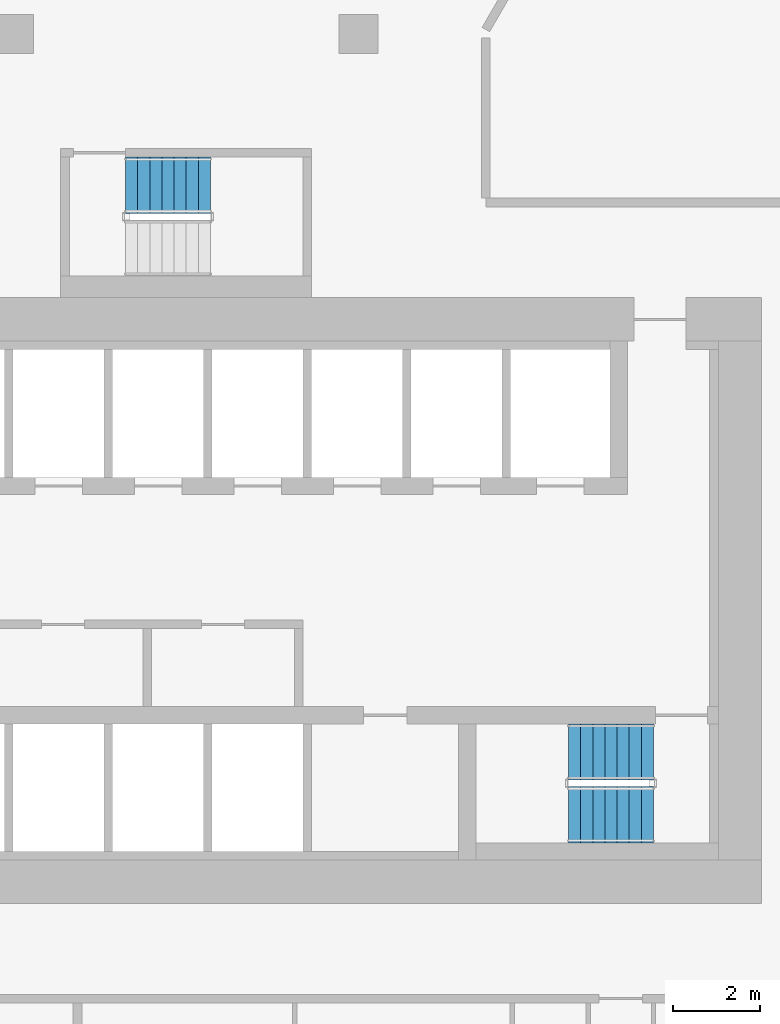
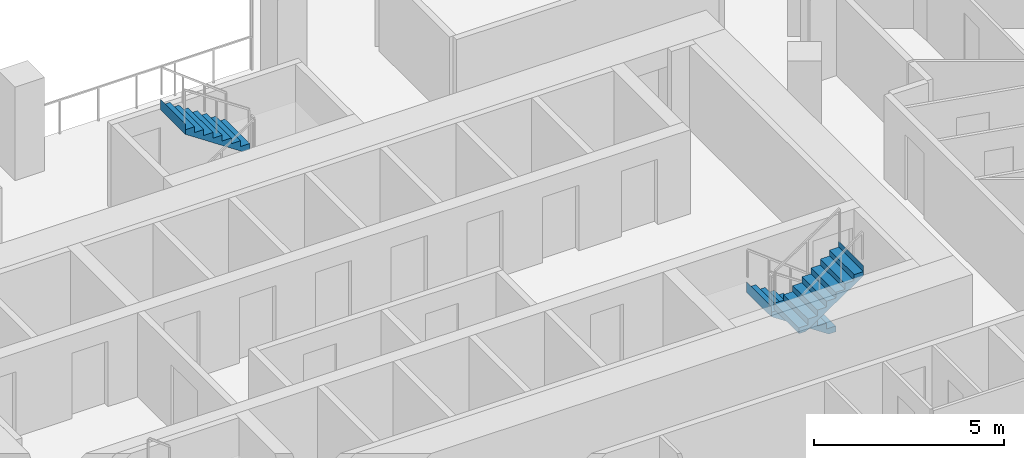
# One storey, part 14 of 18: 3 stair flights, 2 elements without a shape of their own.
"""IFC4 building model written with IfcOpenShell, lengths in metres."""

from ifc_helpers import new_model, si_unit, direction, frame, origin, place, context, subcontext, project, spatial, triangles, material, type_object, element, aggregate, save


model = new_model("IFC4")

# Units and contexts
model_context = context("Model", 3, precision=1e-05, world=origin(), true_north=direction((0.0, 1.0)))
body_context = subcontext(model_context, "Body", "Model", "MODEL_VIEW")
ifc_project = project(units=[si_unit("LENGTHUNIT", "METRE"), si_unit("AREAUNIT", "SQUARE_METRE"), si_unit("VOLUMEUNIT", "CUBIC_METRE"), si_unit("PLANEANGLEUNIT", "RADIAN"), si_unit("MASSUNIT", "GRAM", prefix="KILO")], contexts=[model_context])

# Site, building, storey
site_placement = place(None, origin())
site = spatial("IfcSite", under=ifc_project, at=site_placement, CompositionType="ELEMENT")
building_placement = place(site_placement, origin())
building = spatial("IfcBuilding", under=site, at=building_placement, Name="Beryl Residences", CompositionType="ELEMENT")
storey_placement = place(building_placement, frame((0.0, 0.0, 75.0)))
storey = spatial("IfcBuildingStorey", under=building, at=storey_placement, Name="L22", CompositionType="ELEMENT", Elevation=75.0)

# Stair, stair flights
ifc_material_1 = material(Name="Concrete C40/50", Category="concrete")
stair_type = type_object("IfcStairType", Name="ST1 protected exit stair, half-turn, 1300 mm flights", PredefinedType="HALF_TURN_STAIR", material=ifc_material_1)
stair_1_placement = place(storey_placement, origin())
stair_1 = element("IfcStair", 1, at=stair_1_placement, inside=storey, type_object=stair_type, Name="L22 PROTECTED EXIT STAIR ST-3", PredefinedType="HALF_TURN_STAIR")
ifc_material_2 = material(Name="Concrete C40/50", Category="concrete")
stair_flight_type = type_object("IfcStairFlightType", Name="SF1 stair flight 1300 mm", PredefinedType="STRAIGHT", material=ifc_material_2)
stair_flight_1_placement = place(storey_placement, frame((10.800048828125, -15.5, 0.0), z_axis=(0.0, 0.0, 1.0), x_axis=(-1.0, 0.0, 0.0)))
stair_flight_1 = element("IfcStairFlight", 2, at=stair_flight_1_placement, type_object=stair_flight_type, Name="ST-3 flight 1", NumberOfRisers=8, NumberOfTreads=7, PredefinedType="STRAIGHT", RiserHeight=0.1875, TreadLength=0.28, context=body_context, shape_type="Tessellation", body=[
    triangles([(0.0, -0.64990234375, 0.0), (0.0, -0.324951171875, 0.0), (0.0, 0.0, 0.0), (0.0, 0.324951171875, 0.0), (0.0, 0.64990234375, 0.0), (0.0, -0.64990234375, 0.1875), (0.0, -0.324951171875, 0.1875), (0.0, 0.0, 0.1875), (0.0, 0.324951171875, 0.1875), (0.0, 0.64990234375, 0.1875), (0.280029296875, -0.64990234375, 0.1875), (0.280029296875, -0.324951171875, 0.1875), (0.280029296875, 0.0, 0.1875), (0.280029296875, 0.324951171875, 0.1875), (0.280029296875, 0.64990234375, 0.1875), (0.280029296875, -0.64990234375, 0.375), (0.280029296875, -0.324951171875, 0.375), (0.280029296875, 0.0, 0.375), (0.280029296875, 0.324951171875, 0.375), (0.280029296875, 0.64990234375, 0.375), (0.56005859375, -0.64990234375, 0.375), (0.56005859375, -0.324951171875, 0.375), (0.56005859375, 0.0, 0.375), (0.56005859375, 0.324951171875, 0.375), (0.56005859375, 0.64990234375, 0.375), (0.56005859375, -0.64990234375, 0.5625), (0.56005859375, -0.324951171875, 0.5625), (0.56005859375, 0.0, 0.5625), (0.56005859375, 0.324951171875, 0.5625), (0.56005859375, 0.64990234375, 0.5625), (0.840087890625, -0.64990234375, 0.5625), (0.840087890625, -0.324951171875, 0.5625), (0.840087890625, 0.0, 0.5625), (0.840087890625, 0.324951171875, 0.5625), (0.840087890625, 0.64990234375, 0.5625), (0.840087890625, -0.64990234375, 0.75), (0.840087890625, -0.324951171875, 0.75), (0.840087890625, 0.0, 0.75), (0.840087890625, 0.324951171875, 0.75), (0.840087890625, 0.64990234375, 0.75), (1.1201171875, -0.64990234375, 0.75), (1.1201171875, -0.324951171875, 0.75), (1.1201171875, 0.0, 0.75), (1.1201171875, 0.324951171875, 0.75), (1.1201171875, 0.64990234375, 0.75), (1.1201171875, -0.64990234375, 0.9375), (1.1201171875, -0.324951171875, 0.9375), (1.1201171875, 0.0, 0.9375), (1.1201171875, 0.324951171875, 0.9375), (1.1201171875, 0.64990234375, 0.9375), (1.39990234375, -0.64990234375, 0.9375), (1.39990234375, -0.324951171875, 0.9375), (1.39990234375, 0.0, 0.9375), (1.39990234375, 0.324951171875, 0.9375), (1.39990234375, 0.64990234375, 0.9375), (1.39990234375, -0.64990234375, 1.125), (1.39990234375, -0.324951171875, 1.125), (1.39990234375, 0.0, 1.125), (1.39990234375, 0.324951171875, 1.125), (1.39990234375, 0.64990234375, 1.125), (1.679931640625, -0.64990234375, 1.125), (1.679931640625, -0.324951171875, 1.125), (1.679931640625, 0.0, 1.125), (1.679931640625, 0.324951171875, 1.125), (1.679931640625, 0.64990234375, 1.125), (1.679931640625, -0.64990234375, 1.3125), (1.679931640625, -0.324951171875, 1.3125), (1.679931640625, 0.0, 1.3125), (1.679931640625, 0.324951171875, 1.3125), (1.679931640625, 0.64990234375, 1.3125), (1.9599609375, -0.64990234375, 1.3125), (1.9599609375, -0.324951171875, 1.3125), (1.9599609375, 0.0, 1.3125), (1.9599609375, 0.324951171875, 1.3125), (1.9599609375, 0.64990234375, 1.3125), (1.9599609375, -0.64990234375, 1.5), (1.9599609375, -0.324951171875, 1.5), (1.9599609375, 0.0, 1.5), (1.9599609375, 0.324951171875, 1.5), (1.9599609375, 0.64990234375, 1.5), (1.9609375, -0.64990234375, 1.5), (1.9609375, -0.324951171875, 1.5), (1.9609375, 0.0, 1.5), (1.9609375, 0.324951171875, 1.5), (1.9609375, 0.64990234375, 1.5), (1.9609375, -0.64990234375, 1.16796875), (1.9609375, -0.324951171875, 1.16796875), (1.9609375, 0.0, 1.16796875), (1.9609375, 0.324951171875, 1.16796875), (1.9609375, 0.64990234375, 1.16796875), (0.216796875, -0.64990234375, 0.0), (0.216796875, -0.324951171875, 0.0), (0.216796875, 0.0, 0.0), (0.216796875, 0.324951171875, 0.0), (0.216796875, 0.64990234375, 0.0)], [[1, 6, 7], [1, 7, 2], [2, 7, 8], [2, 8, 3], [3, 8, 9], [3, 9, 4], [4, 9, 10], [4, 10, 5], [6, 11, 12], [6, 12, 7], [7, 12, 13], [7, 13, 8], [8, 13, 14], [8, 14, 9], [9, 14, 15], [9, 15, 10], [11, 16, 17], [11, 17, 12], [12, 17, 18], [12, 18, 13], [13, 18, 19], [13, 19, 14], [14, 19, 20], [14, 20, 15], [16, 21, 22], [16, 22, 17], [17, 22, 23], [17, 23, 18], [18, 23, 24], [18, 24, 19], [19, 24, 25], [19, 25, 20], [21, 26, 27], [21, 27, 22], [22, 27, 28], [22, 28, 23], [23, 28, 29], [23, 29, 24], [24, 29, 30], [24, 30, 25], [26, 31, 32], [26, 32, 27], [27, 32, 33], [27, 33, 28], [28, 33, 34], [28, 34, 29], [29, 34, 35], [29, 35, 30], [31, 36, 37], [31, 37, 32], [32, 37, 38], [32, 38, 33], [33, 38, 39], [33, 39, 34], [34, 39, 40], [34, 40, 35], [36, 41, 42], [36, 42, 37], [37, 42, 43], [37, 43, 38], [38, 43, 44], [38, 44, 39], [39, 44, 45], [39, 45, 40], [41, 46, 47], [41, 47, 42], [42, 47, 48], [42, 48, 43], [43, 48, 49], [43, 49, 44], [44, 49, 50], [44, 50, 45], [46, 51, 52], [46, 52, 47], [47, 52, 53], [47, 53, 48], [48, 53, 54], [48, 54, 49], [49, 54, 55], [49, 55, 50], [51, 56, 57], [51, 57, 52], [52, 57, 58], [52, 58, 53], [53, 58, 59], [53, 59, 54], [54, 59, 60], [54, 60, 55], [56, 61, 62], [56, 62, 57], [57, 62, 63], [57, 63, 58], [58, 63, 64], [58, 64, 59], [59, 64, 65], [59, 65, 60], [61, 66, 67], [61, 67, 62], [62, 67, 68], [62, 68, 63], [63, 68, 69], [63, 69, 64], [64, 69, 70], [64, 70, 65], [66, 71, 72], [66, 72, 67], [67, 72, 73], [67, 73, 68], [68, 73, 74], [68, 74, 69], [69, 74, 75], [69, 75, 70], [71, 76, 77], [71, 77, 72], [72, 77, 78], [72, 78, 73], [73, 78, 79], [73, 79, 74], [74, 79, 80], [74, 80, 75], [76, 81, 82], [76, 82, 77], [77, 82, 83], [77, 83, 78], [78, 83, 84], [78, 84, 79], [79, 84, 85], [79, 85, 80], [81, 86, 87], [81, 87, 82], [82, 87, 88], [82, 88, 83], [83, 88, 89], [83, 89, 84], [84, 89, 90], [84, 90, 85], [86, 91, 92], [86, 92, 87], [87, 92, 93], [87, 93, 88], [88, 93, 94], [88, 94, 89], [89, 94, 95], [89, 95, 90], [91, 1, 2], [91, 2, 92], [92, 2, 3], [92, 3, 93], [93, 3, 4], [93, 4, 94], [94, 4, 5], [94, 5, 95], [1, 91, 86], [5, 90, 95], [86, 81, 76], [90, 80, 85], [86, 76, 71], [90, 75, 80], [86, 71, 66], [90, 70, 75], [86, 66, 61], [90, 65, 70], [61, 56, 51], [65, 55, 60], [86, 61, 51], [90, 55, 65], [51, 46, 41], [55, 45, 50], [86, 51, 41], [90, 45, 55], [41, 36, 31], [45, 35, 40], [86, 41, 31], [90, 35, 45], [31, 26, 21], [35, 25, 30], [86, 31, 21], [90, 25, 35], [21, 16, 11], [25, 15, 20], [86, 21, 11], [90, 15, 25], [1, 86, 11], [5, 15, 90], [11, 6, 1], [15, 5, 10]], closed=True),
])
stair_flight_2_placement = place(storey_placement, frame((8.840087890625, -16.949951171875, 1.5), z_axis=(0.0, 0.0, 1.0), x_axis=(1.0, 0.0, 0.0)))
stair_flight_2 = element("IfcStairFlight", 3, at=stair_flight_2_placement, type_object=stair_flight_type, Name="ST-3 flight 2", NumberOfRisers=8, NumberOfTreads=7, PredefinedType="STRAIGHT", RiserHeight=0.1875, TreadLength=0.28, context=body_context, shape_type="Tessellation", body=[
    triangles([(0.0, -0.64990234375, 0.0), (0.0, -0.324951171875, 0.0), (0.0, 0.0, 0.0), (0.0, 0.324951171875, 0.0), (0.0, 0.64990234375, 0.0), (0.0, -0.64990234375, 0.1875), (0.0, -0.324951171875, 0.1875), (0.0, 0.0, 0.1875), (0.0, 0.324951171875, 0.1875), (0.0, 0.64990234375, 0.1875), (0.280029296875, -0.64990234375, 0.1875), (0.280029296875, -0.324951171875, 0.1875), (0.280029296875, 0.0, 0.1875), (0.280029296875, 0.324951171875, 0.1875), (0.280029296875, 0.64990234375, 0.1875), (0.280029296875, -0.64990234375, 0.375), (0.280029296875, -0.324951171875, 0.375), (0.280029296875, 0.0, 0.375), (0.280029296875, 0.324951171875, 0.375), (0.280029296875, 0.64990234375, 0.375), (0.56005859375, -0.64990234375, 0.375), (0.56005859375, -0.324951171875, 0.375), (0.56005859375, 0.0, 0.375), (0.56005859375, 0.324951171875, 0.375), (0.56005859375, 0.64990234375, 0.375), (0.56005859375, -0.64990234375, 0.5625), (0.56005859375, -0.324951171875, 0.5625), (0.56005859375, 0.0, 0.5625), (0.56005859375, 0.324951171875, 0.5625), (0.56005859375, 0.64990234375, 0.5625), (0.840087890625, -0.64990234375, 0.5625), (0.840087890625, -0.324951171875, 0.5625), (0.840087890625, 0.0, 0.5625), (0.840087890625, 0.324951171875, 0.5625), (0.840087890625, 0.64990234375, 0.5625), (0.840087890625, -0.64990234375, 0.75), (0.840087890625, -0.324951171875, 0.75), (0.840087890625, 0.0, 0.75), (0.840087890625, 0.324951171875, 0.75), (0.840087890625, 0.64990234375, 0.75), (1.1201171875, -0.64990234375, 0.75), (1.1201171875, -0.324951171875, 0.75), (1.1201171875, 0.0, 0.75), (1.1201171875, 0.324951171875, 0.75), (1.1201171875, 0.64990234375, 0.75), (1.1201171875, -0.64990234375, 0.9375), (1.1201171875, -0.324951171875, 0.9375), (1.1201171875, 0.0, 0.9375), (1.1201171875, 0.324951171875, 0.9375), (1.1201171875, 0.64990234375, 0.9375), (1.39990234375, -0.64990234375, 0.9375), (1.39990234375, -0.324951171875, 0.9375), (1.39990234375, 0.0, 0.9375), (1.39990234375, 0.324951171875, 0.9375), (1.39990234375, 0.64990234375, 0.9375), (1.39990234375, -0.64990234375, 1.125), (1.39990234375, -0.324951171875, 1.125), (1.39990234375, 0.0, 1.125), (1.39990234375, 0.324951171875, 1.125), (1.39990234375, 0.64990234375, 1.125), (1.679931640625, -0.64990234375, 1.125), (1.679931640625, -0.324951171875, 1.125), (1.679931640625, 0.0, 1.125), (1.679931640625, 0.324951171875, 1.125), (1.679931640625, 0.64990234375, 1.125), (1.679931640625, -0.64990234375, 1.3125), (1.679931640625, -0.324951171875, 1.3125), (1.679931640625, 0.0, 1.3125), (1.679931640625, 0.324951171875, 1.3125), (1.679931640625, 0.64990234375, 1.3125), (1.9599609375, -0.64990234375, 1.3125), (1.9599609375, -0.324951171875, 1.3125), (1.9599609375, 0.0, 1.3125), (1.9599609375, 0.324951171875, 1.3125), (1.9599609375, 0.64990234375, 1.3125), (1.9599609375, -0.64990234375, 1.5), (1.9599609375, -0.324951171875, 1.5), (1.9599609375, 0.0, 1.5), (1.9599609375, 0.324951171875, 1.5), (1.9599609375, 0.64990234375, 1.5), (1.9609375, -0.64990234375, 1.5), (1.9609375, -0.324951171875, 1.5), (1.9609375, 0.0, 1.5), (1.9609375, 0.324951171875, 1.5), (1.9609375, 0.64990234375, 1.5), (1.9609375, -0.64990234375, 1.16796875), (1.9609375, -0.324951171875, 1.16796875), (1.9609375, 0.0, 1.16796875), (1.9609375, 0.324951171875, 1.16796875), (1.9609375, 0.64990234375, 1.16796875), (0.216796875, -0.64990234375, 0.0), (0.216796875, -0.324951171875, 0.0), (0.216796875, 0.0, 0.0), (0.216796875, 0.324951171875, 0.0), (0.216796875, 0.64990234375, 0.0)], [[1, 6, 7], [1, 7, 2], [2, 7, 8], [2, 8, 3], [3, 8, 9], [3, 9, 4], [4, 9, 10], [4, 10, 5], [6, 11, 12], [6, 12, 7], [7, 12, 13], [7, 13, 8], [8, 13, 14], [8, 14, 9], [9, 14, 15], [9, 15, 10], [11, 16, 17], [11, 17, 12], [12, 17, 18], [12, 18, 13], [13, 18, 19], [13, 19, 14], [14, 19, 20], [14, 20, 15], [16, 21, 22], [16, 22, 17], [17, 22, 23], [17, 23, 18], [18, 23, 24], [18, 24, 19], [19, 24, 25], [19, 25, 20], [21, 26, 27], [21, 27, 22], [22, 27, 28], [22, 28, 23], [23, 28, 29], [23, 29, 24], [24, 29, 30], [24, 30, 25], [26, 31, 32], [26, 32, 27], [27, 32, 33], [27, 33, 28], [28, 33, 34], [28, 34, 29], [29, 34, 35], [29, 35, 30], [31, 36, 37], [31, 37, 32], [32, 37, 38], [32, 38, 33], [33, 38, 39], [33, 39, 34], [34, 39, 40], [34, 40, 35], [36, 41, 42], [36, 42, 37], [37, 42, 43], [37, 43, 38], [38, 43, 44], [38, 44, 39], [39, 44, 45], [39, 45, 40], [41, 46, 47], [41, 47, 42], [42, 47, 48], [42, 48, 43], [43, 48, 49], [43, 49, 44], [44, 49, 50], [44, 50, 45], [46, 51, 52], [46, 52, 47], [47, 52, 53], [47, 53, 48], [48, 53, 54], [48, 54, 49], [49, 54, 55], [49, 55, 50], [51, 56, 57], [51, 57, 52], [52, 57, 58], [52, 58, 53], [53, 58, 59], [53, 59, 54], [54, 59, 60], [54, 60, 55], [56, 61, 62], [56, 62, 57], [57, 62, 63], [57, 63, 58], [58, 63, 64], [58, 64, 59], [59, 64, 65], [59, 65, 60], [61, 66, 67], [61, 67, 62], [62, 67, 68], [62, 68, 63], [63, 68, 69], [63, 69, 64], [64, 69, 70], [64, 70, 65], [66, 71, 72], [66, 72, 67], [67, 72, 73], [67, 73, 68], [68, 73, 74], [68, 74, 69], [69, 74, 75], [69, 75, 70], [71, 76, 77], [71, 77, 72], [72, 77, 78], [72, 78, 73], [73, 78, 79], [73, 79, 74], [74, 79, 80], [74, 80, 75], [76, 81, 82], [76, 82, 77], [77, 82, 83], [77, 83, 78], [78, 83, 84], [78, 84, 79], [79, 84, 85], [79, 85, 80], [81, 86, 87], [81, 87, 82], [82, 87, 88], [82, 88, 83], [83, 88, 89], [83, 89, 84], [84, 89, 90], [84, 90, 85], [86, 91, 92], [86, 92, 87], [87, 92, 93], [87, 93, 88], [88, 93, 94], [88, 94, 89], [89, 94, 95], [89, 95, 90], [91, 1, 2], [91, 2, 92], [92, 2, 3], [92, 3, 93], [93, 3, 4], [93, 4, 94], [94, 4, 5], [94, 5, 95], [1, 91, 86], [5, 90, 95], [86, 81, 76], [90, 80, 85], [86, 76, 71], [90, 75, 80], [86, 71, 66], [90, 70, 75], [86, 66, 61], [90, 65, 70], [61, 56, 51], [65, 55, 60], [86, 61, 51], [90, 55, 65], [51, 46, 41], [55, 45, 50], [86, 51, 41], [90, 45, 55], [41, 36, 31], [45, 35, 40], [86, 41, 31], [90, 35, 45], [31, 26, 21], [35, 25, 30], [86, 31, 21], [90, 25, 35], [21, 16, 11], [25, 15, 20], [86, 21, 11], [90, 15, 25], [1, 86, 11], [5, 15, 90], [11, 6, 1], [15, 5, 10]], closed=True),
])
aggregate(stair_1, [stair_flight_1, stair_flight_2])

# Stair, stair flight
stair_2_placement = place(storey_placement, origin())
stair_2 = element("IfcStair", 4, at=stair_2_placement, inside=storey, type_object=stair_type, Name="L22 PROTECTED EXIT STAIR ST-4", PredefinedType="HALF_TURN_STAIR")
stair_flight_3_placement = place(storey_placement, frame((0.56005859375, -2.39990234375, 1.5), z_axis=(0.0, 0.0, 1.0), x_axis=(-1.0, 0.0, 0.0)))
stair_flight_3 = element("IfcStairFlight", 5, at=stair_flight_3_placement, type_object=stair_flight_type, Name="ST-4 flight 2", NumberOfRisers=8, NumberOfTreads=7, PredefinedType="STRAIGHT", RiserHeight=0.1875, TreadLength=0.28, context=body_context, shape_type="Tessellation", body=[
    triangles([(0.0, -0.64990234375, 0.0), (0.0, -0.324951171875, 0.0), (0.0, 0.0, 0.0), (0.0, 0.324951171875, 0.0), (0.0, 0.64990234375, 0.0), (0.0, -0.64990234375, 0.1875), (0.0, -0.324951171875, 0.1875), (0.0, 0.0, 0.1875), (0.0, 0.324951171875, 0.1875), (0.0, 0.64990234375, 0.1875), (0.280029296875, -0.64990234375, 0.1875), (0.280029296875, -0.324951171875, 0.1875), (0.280029296875, 0.0, 0.1875), (0.280029296875, 0.324951171875, 0.1875), (0.280029296875, 0.64990234375, 0.1875), (0.280029296875, -0.64990234375, 0.375), (0.280029296875, -0.324951171875, 0.375), (0.280029296875, 0.0, 0.375), (0.280029296875, 0.324951171875, 0.375), (0.280029296875, 0.64990234375, 0.375), (0.56005859375, -0.64990234375, 0.375), (0.56005859375, -0.324951171875, 0.375), (0.56005859375, 0.0, 0.375), (0.56005859375, 0.324951171875, 0.375), (0.56005859375, 0.64990234375, 0.375), (0.56005859375, -0.64990234375, 0.5625), (0.56005859375, -0.324951171875, 0.5625), (0.56005859375, 0.0, 0.5625), (0.56005859375, 0.324951171875, 0.5625), (0.56005859375, 0.64990234375, 0.5625), (0.840087890625, -0.64990234375, 0.5625), (0.840087890625, -0.324951171875, 0.5625), (0.840087890625, 0.0, 0.5625), (0.840087890625, 0.324951171875, 0.5625), (0.840087890625, 0.64990234375, 0.5625), (0.840087890625, -0.64990234375, 0.75), (0.840087890625, -0.324951171875, 0.75), (0.840087890625, 0.0, 0.75), (0.840087890625, 0.324951171875, 0.75), (0.840087890625, 0.64990234375, 0.75), (1.1201171875, -0.64990234375, 0.75), (1.1201171875, -0.324951171875, 0.75), (1.1201171875, 0.0, 0.75), (1.1201171875, 0.324951171875, 0.75), (1.1201171875, 0.64990234375, 0.75), (1.1201171875, -0.64990234375, 0.9375), (1.1201171875, -0.324951171875, 0.9375), (1.1201171875, 0.0, 0.9375), (1.1201171875, 0.324951171875, 0.9375), (1.1201171875, 0.64990234375, 0.9375), (1.39990234375, -0.64990234375, 0.9375), (1.39990234375, -0.324951171875, 0.9375), (1.39990234375, 0.0, 0.9375), (1.39990234375, 0.324951171875, 0.9375), (1.39990234375, 0.64990234375, 0.9375), (1.39990234375, -0.64990234375, 1.125), (1.39990234375, -0.324951171875, 1.125), (1.39990234375, 0.0, 1.125), (1.39990234375, 0.324951171875, 1.125), (1.39990234375, 0.64990234375, 1.125), (1.679931640625, -0.64990234375, 1.125), (1.679931640625, -0.324951171875, 1.125), (1.679931640625, 0.0, 1.125), (1.679931640625, 0.324951171875, 1.125), (1.679931640625, 0.64990234375, 1.125), (1.679931640625, -0.64990234375, 1.3125), (1.679931640625, -0.324951171875, 1.3125), (1.679931640625, 0.0, 1.3125), (1.679931640625, 0.324951171875, 1.3125), (1.679931640625, 0.64990234375, 1.3125), (1.9599609375, -0.64990234375, 1.3125), (1.9599609375, -0.324951171875, 1.3125), (1.9599609375, 0.0, 1.3125), (1.9599609375, 0.324951171875, 1.3125), (1.9599609375, 0.64990234375, 1.3125), (1.9599609375, -0.64990234375, 1.5), (1.9599609375, -0.324951171875, 1.5), (1.9599609375, 0.0, 1.5), (1.9599609375, 0.324951171875, 1.5), (1.9599609375, 0.64990234375, 1.5), (1.9609375, -0.64990234375, 1.5), (1.9609375, -0.324951171875, 1.5), (1.9609375, 0.0, 1.5), (1.9609375, 0.324951171875, 1.5), (1.9609375, 0.64990234375, 1.5), (1.9609375, -0.64990234375, 1.16796875), (1.9609375, -0.324951171875, 1.16796875), (1.9609375, 0.0, 1.16796875), (1.9609375, 0.324951171875, 1.16796875), (1.9609375, 0.64990234375, 1.16796875), (0.216796875, -0.64990234375, 0.0), (0.216796875, -0.324951171875, 0.0), (0.216796875, 0.0, 0.0), (0.216796875, 0.324951171875, 0.0), (0.216796875, 0.64990234375, 0.0)], [[1, 6, 7], [1, 7, 2], [2, 7, 8], [2, 8, 3], [3, 8, 9], [3, 9, 4], [4, 9, 10], [4, 10, 5], [6, 11, 12], [6, 12, 7], [7, 12, 13], [7, 13, 8], [8, 13, 14], [8, 14, 9], [9, 14, 15], [9, 15, 10], [11, 16, 17], [11, 17, 12], [12, 17, 18], [12, 18, 13], [13, 18, 19], [13, 19, 14], [14, 19, 20], [14, 20, 15], [16, 21, 22], [16, 22, 17], [17, 22, 23], [17, 23, 18], [18, 23, 24], [18, 24, 19], [19, 24, 25], [19, 25, 20], [21, 26, 27], [21, 27, 22], [22, 27, 28], [22, 28, 23], [23, 28, 29], [23, 29, 24], [24, 29, 30], [24, 30, 25], [26, 31, 32], [26, 32, 27], [27, 32, 33], [27, 33, 28], [28, 33, 34], [28, 34, 29], [29, 34, 35], [29, 35, 30], [31, 36, 37], [31, 37, 32], [32, 37, 38], [32, 38, 33], [33, 38, 39], [33, 39, 34], [34, 39, 40], [34, 40, 35], [36, 41, 42], [36, 42, 37], [37, 42, 43], [37, 43, 38], [38, 43, 44], [38, 44, 39], [39, 44, 45], [39, 45, 40], [41, 46, 47], [41, 47, 42], [42, 47, 48], [42, 48, 43], [43, 48, 49], [43, 49, 44], [44, 49, 50], [44, 50, 45], [46, 51, 52], [46, 52, 47], [47, 52, 53], [47, 53, 48], [48, 53, 54], [48, 54, 49], [49, 54, 55], [49, 55, 50], [51, 56, 57], [51, 57, 52], [52, 57, 58], [52, 58, 53], [53, 58, 59], [53, 59, 54], [54, 59, 60], [54, 60, 55], [56, 61, 62], [56, 62, 57], [57, 62, 63], [57, 63, 58], [58, 63, 64], [58, 64, 59], [59, 64, 65], [59, 65, 60], [61, 66, 67], [61, 67, 62], [62, 67, 68], [62, 68, 63], [63, 68, 69], [63, 69, 64], [64, 69, 70], [64, 70, 65], [66, 71, 72], [66, 72, 67], [67, 72, 73], [67, 73, 68], [68, 73, 74], [68, 74, 69], [69, 74, 75], [69, 75, 70], [71, 76, 77], [71, 77, 72], [72, 77, 78], [72, 78, 73], [73, 78, 79], [73, 79, 74], [74, 79, 80], [74, 80, 75], [76, 81, 82], [76, 82, 77], [77, 82, 83], [77, 83, 78], [78, 83, 84], [78, 84, 79], [79, 84, 85], [79, 85, 80], [81, 86, 87], [81, 87, 82], [82, 87, 88], [82, 88, 83], [83, 88, 89], [83, 89, 84], [84, 89, 90], [84, 90, 85], [86, 91, 92], [86, 92, 87], [87, 92, 93], [87, 93, 88], [88, 93, 94], [88, 94, 89], [89, 94, 95], [89, 95, 90], [91, 1, 2], [91, 2, 92], [92, 2, 3], [92, 3, 93], [93, 3, 4], [93, 4, 94], [94, 4, 5], [94, 5, 95], [1, 91, 86], [5, 90, 95], [86, 81, 76], [90, 80, 85], [86, 76, 71], [90, 75, 80], [86, 71, 66], [90, 70, 75], [86, 66, 61], [90, 65, 70], [61, 56, 51], [65, 55, 60], [86, 61, 51], [90, 55, 65], [51, 46, 41], [55, 45, 50], [86, 51, 41], [90, 45, 55], [41, 36, 31], [45, 35, 40], [86, 41, 31], [90, 35, 45], [31, 26, 21], [35, 25, 30], [86, 31, 21], [90, 25, 35], [21, 16, 11], [25, 15, 20], [86, 21, 11], [90, 15, 25], [1, 86, 11], [5, 15, 90], [11, 6, 1], [15, 5, 10]], closed=True),
])
aggregate(stair_2, [stair_flight_3])

save(model, "model.ifc")
